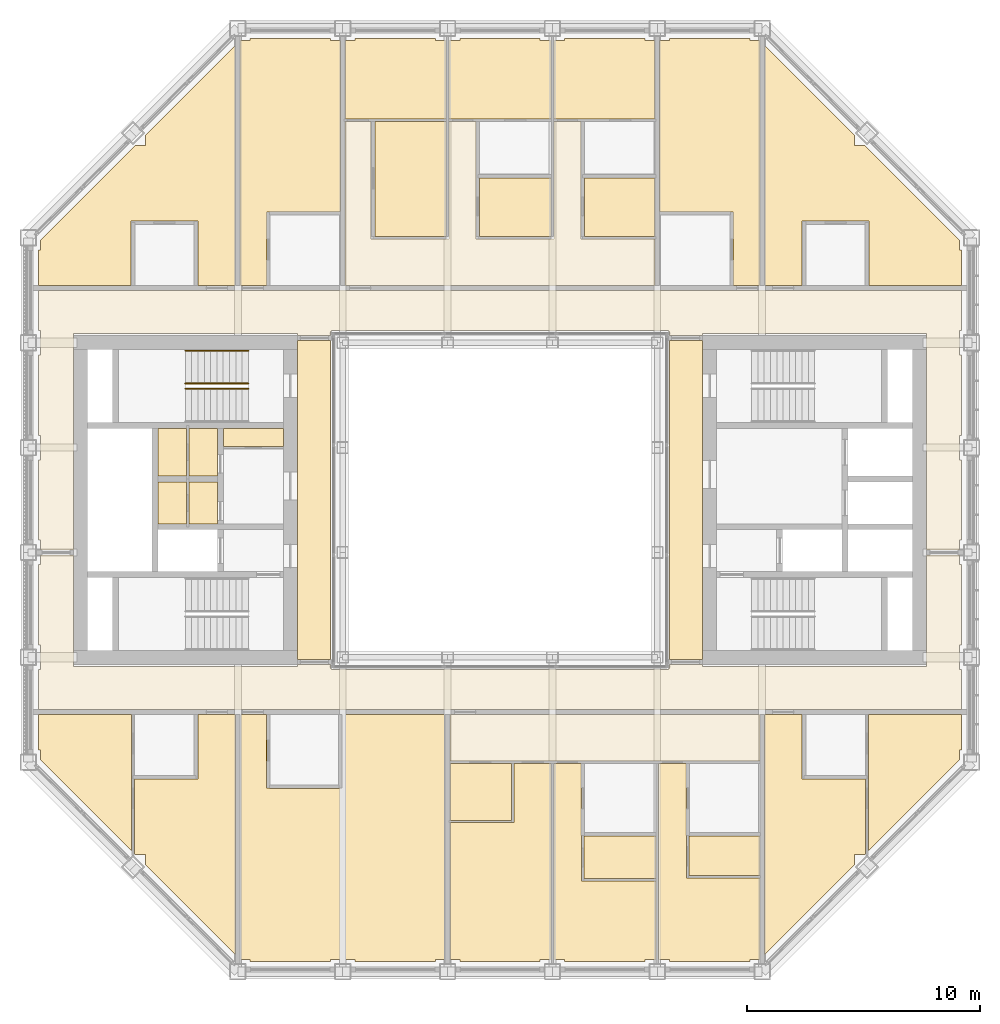
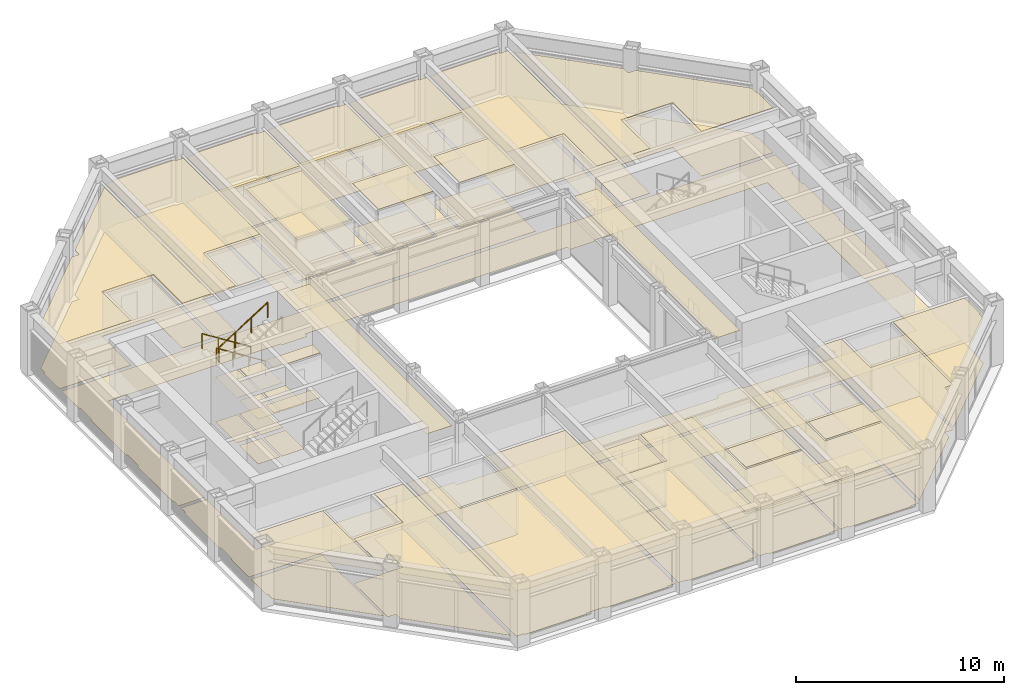
# One storey, part 16 of 17: 6 coverings, 3 railings.
"""IFC4 building model written with IfcOpenShell, lengths in metres."""

from ifc_helpers import new_model, si_unit, direction, frame, origin, origin_2d, place, context, subcontext, project, spatial, line, indexed_curve, circle, outline, extrude, material, layer, layer_set, type_object, element, save


model = new_model("IFC4")

# Units and contexts
model_context = context("Model", 3, precision=1e-05, world=origin(), true_north=direction((0.0, 1.0)))
body_context = subcontext(model_context, "Body", "Model", "MODEL_VIEW")
ifc_project = project(units=[si_unit("LENGTHUNIT", "METRE"), si_unit("AREAUNIT", "SQUARE_METRE"), si_unit("VOLUMEUNIT", "CUBIC_METRE"), si_unit("PLANEANGLEUNIT", "RADIAN"), si_unit("MASSUNIT", "GRAM", prefix="KILO")], contexts=[model_context])

# Site, building, storey
site_placement = place(None, origin())
site = spatial("IfcSite", under=ifc_project, at=site_placement, CompositionType="ELEMENT")
building_placement = place(site_placement, origin())
building = spatial("IfcBuilding", under=site, at=building_placement, Name="Msasa Ring Tower", CompositionType="ELEMENT")
storey_placement = place(building_placement, frame((0.0, 0.0, 242.050048828125)))
storey = spatial("IfcBuildingStorey", under=building, at=storey_placement, Name="L63", CompositionType="ELEMENT", Elevation=242.050048828125)

# Coverings
ifc_material_1 = material(Name="Gypsum plasterboard on a steel suspension grid", Category="steel")
ifc_layer_1 = layer(ifc_material_1, 0.014892578125)
ifc_layer_set_1 = layer_set([ifc_layer_1], Name="C1 SUSPENDED PLASTERBOARD CEILING 15")
covering_type_1 = type_object("IfcCoveringType", Name="C1 SUSPENDED PLASTERBOARD CEILING 15", PredefinedType="CEILING", material=ifc_layer_set_1)
covering_1_placement = place(storey_placement, frame((0.0, 0.0, 3.199951171875)))
element("IfcCovering", 1, at=covering_1_placement, inside=storey, type_object=covering_type_1, Name="Suspended Plasterboard Ceiling 15 public rooms L63", PredefinedType="CEILING", context=body_context, shape_type="SweptSolid", body=[
    extrude(outline(indexed_curve([(-7.280029296875, 6.849609375), (-7.280029296875, -6.849609375), (-8.699462890625, -6.849609375), (-8.699462890625, 6.849609375)], segments=[line(1, 2, 3, 4, 1)], self_intersect=False)), origin(), (0.0, 0.0, 1.0), 0.014892578125),
    extrude(outline(indexed_curve([(8.699462890625, 6.849609375), (8.699462890625, -6.849609375), (7.280029296875, -6.849609375), (7.280029296875, 6.849609375)], segments=[line(1, 2, 3, 4, 1)], self_intersect=False)), origin(), (0.0, 0.0, 1.0), 0.014892578125),
])
covering_2_placement = place(storey_placement, frame((0.0, 0.0, 2.634033203125)))
element("IfcCovering", 2, at=covering_2_placement, inside=storey, type_object=covering_type_1, Name="Suspended Plasterboard Ceiling 15 L63", PredefinedType="CEILING", context=body_context, shape_type="SweptSolid", body=[
    extrude(outline(indexed_curve([(-15.810546875, -15.052490234375), (-19.724609375, -11.138427734375), (-19.724609375, -10.724609375), (-19.799560546875, -10.724609375), (-19.799560546875, -9.200439453125), (-15.810546875, -9.200439453125)], segments=[line(1, 2, 3, 4, 5, 6, 1)], self_intersect=False)), origin(), (0.0, 0.0, 1.0), 0.014892578125),
    extrude(outline(indexed_curve([(-19.799560546875, 9.200439453125), (-19.799560546875, 10.724609375), (-19.724609375, 10.724609375), (-19.724609375, 11.138427734375), (-15.638427734375, 15.224609375), (-15.224609375, 15.224609375), (-15.224609375, 15.638427734375), (-11.3505859375, 19.512451171875), (-11.3505859375, 9.200439453125), (-12.969482421875, 9.200439453125), (-12.969482421875, 11.98046875), (-15.83056640625, 11.98046875), (-15.83056640625, 9.200439453125)], segments=[line(1, 2, 3, 4, 5, 6, 7, 8, 9, 10, 11, 12, 13, 1)], self_intersect=False)), origin(), (0.0, 0.0, 1.0), 0.014892578125),
    extrude(outline(indexed_curve([(-11.3505859375, -19.512451171875), (-15.224609375, -15.638427734375), (-15.224609375, -15.224609375), (-15.638427734375, -15.224609375), (-15.689453125, -15.17333984375), (-15.689453125, -11.98046875), (-12.969482421875, -11.98046875), (-12.969482421875, -9.200439453125), (-11.3505859375, -9.200439453125)], segments=[line(1, 2, 3, 4, 5, 6, 7, 8, 9, 1)], self_intersect=False)), origin(), (0.0, 0.0, 1.0), 0.014892578125),
    extrude(outline(indexed_curve([(-13.45556640625, -1.0244140625), (-14.674560546875, -1.0244140625), (-14.674560546875, 0.7744140625), (-13.45556640625, 0.7744140625)], segments=[line(1, 2, 3, 4, 1)], self_intersect=False)), origin(), (0.0, 0.0, 1.0), 0.014892578125),
    extrude(outline(indexed_curve([(-14.674560546875, 3.074462890625), (-13.45556640625, 3.074462890625), (-13.45556640625, 1.025390625), (-14.674560546875, 1.025390625)], segments=[line(1, 2, 3, 4, 1)], self_intersect=False)), origin(), (0.0, 0.0, 1.0), 0.014892578125),
    extrude(outline(indexed_curve([(-12.12548828125, -1.0244140625), (-13.344482421875, -1.0244140625), (-13.344482421875, 0.7744140625), (-12.12548828125, 0.7744140625)], segments=[line(1, 2, 3, 4, 1)], self_intersect=False)), origin(), (0.0, 0.0, 1.0), 0.014892578125),
    extrude(outline(indexed_curve([(-12.12548828125, 3.074462890625), (-12.12548828125, 1.025390625), (-13.344482421875, 1.025390625), (-13.344482421875, 3.074462890625)], segments=[line(1, 2, 3, 4, 1)], self_intersect=False)), origin(), (0.0, 0.0, 1.0), 0.014892578125),
    extrude(outline(indexed_curve([(-9.300537109375, 3.074462890625), (-9.300537109375, 2.305419921875), (-11.87451171875, 2.305419921875), (-11.87451171875, 3.074462890625)], segments=[line(1, 2, 3, 4, 1)], self_intersect=False)), origin(), (0.0, 0.0, 1.0), 0.014892578125),
    extrude(outline(indexed_curve([(-6.799560546875, -12.3505859375), (-6.799560546875, -9.200439453125), (-2.3505859375, -9.200439453125), (-2.3505859375, -19.724609375), (-2.775390625, -19.724609375), (-2.775390625, -19.799560546875), (-6.224609375, -19.799560546875), (-6.224609375, -19.724609375), (-7.275390625, -19.724609375), (-7.275390625, -19.799560546875), (-10.724609375, -19.799560546875), (-10.724609375, -19.724609375), (-11.138427734375, -19.724609375), (-11.1494140625, -19.71337890625), (-11.1494140625, -9.200439453125), (-10.00048828125, -9.200439453125), (-10.00048828125, -12.3505859375)], segments=[line(1, 2, 3, 4, 5, 6, 7, 8, 9, 10, 11, 12, 13, 14, 15, 16, 17, 1)], self_intersect=False)), origin(), (0.0, 0.0, 1.0), 0.014892578125),
    extrude(outline(indexed_curve([(-11.1494140625, 9.200439453125), (-11.1494140625, 19.71337890625), (-11.138427734375, 19.724609375), (-10.724609375, 19.724609375), (-10.724609375, 19.799560546875), (-7.275390625, 19.799560546875), (-7.275390625, 19.724609375), (-6.8505859375, 19.724609375), (-6.8505859375, 12.3505859375), (-10.00048828125, 12.3505859375), (-10.00048828125, 9.200439453125)], segments=[line(1, 2, 3, 4, 5, 6, 7, 8, 9, 10, 11, 1)], self_intersect=False)), origin(), (0.0, 0.0, 1.0), 0.014892578125),
    extrude(outline(indexed_curve([(-6.689453125, 19.724609375), (-6.224609375, 19.724609375), (-6.224609375, 19.799560546875), (-2.775390625, 19.799560546875), (-2.775390625, 19.724609375), (-2.310546875, 19.724609375), (-2.310546875, 16.35546875), (-6.689453125, 16.35546875)], segments=[line(1, 2, 3, 4, 5, 6, 7, 8, 1)], self_intersect=False)), origin(), (0.0, 0.0, 1.0), 0.014892578125),
    extrude(outline(indexed_curve([(2.189453125, -11.300537109375), (2.189453125, -19.724609375), (1.724609375, -19.724609375), (1.724609375, -19.799560546875), (-1.724609375, -19.799560546875), (-1.724609375, -19.724609375), (-2.189453125, -19.724609375), (-2.189453125, -13.8505859375), (0.6005859375, -13.8505859375), (0.6005859375, -11.300537109375)], segments=[line(1, 2, 3, 4, 5, 6, 7, 8, 9, 10, 1)], self_intersect=False)), origin(), (0.0, 0.0, 1.0), 0.014892578125),
    extrude(outline(indexed_curve([(-2.189453125, 19.724609375), (-1.724609375, 19.724609375), (-1.724609375, 19.799560546875), (1.724609375, 19.799560546875), (1.724609375, 19.724609375), (2.189453125, 19.724609375), (2.189453125, 16.35546875), (-2.189453125, 16.35546875)], segments=[line(1, 2, 3, 4, 5, 6, 7, 8, 1)], self_intersect=False)), origin(), (0.0, 0.0, 1.0), 0.014892578125),
    extrude(outline(indexed_curve([(-0.869384765625, 13.819580078125), (2.189453125, 13.819580078125), (2.189453125, 11.305419921875), (-0.869384765625, 11.305419921875)], segments=[line(1, 2, 3, 4, 1)], self_intersect=False)), origin(), (0.0, 0.0, 1.0), 0.014892578125),
    extrude(outline(indexed_curve([(6.689453125, -19.724609375), (6.224609375, -19.724609375), (6.224609375, -19.799560546875), (2.775390625, -19.799560546875), (2.775390625, -19.724609375), (2.310546875, -19.724609375), (2.310546875, -11.300537109375), (3.49951171875, -11.300537109375), (3.49951171875, -16.3505859375), (6.689453125, -16.3505859375)], segments=[line(1, 2, 3, 4, 5, 6, 7, 8, 9, 10, 1)], self_intersect=False)), origin(), (0.0, 0.0, 1.0), 0.014892578125),
    extrude(outline(indexed_curve([(2.310546875, 19.724609375), (2.775390625, 19.724609375), (2.775390625, 19.799560546875), (6.224609375, 19.799560546875), (6.224609375, 19.724609375), (6.689453125, 19.724609375), (6.689453125, 16.35546875), (2.310546875, 16.35546875)], segments=[line(1, 2, 3, 4, 5, 6, 7, 8, 1)], self_intersect=False)), origin(), (0.0, 0.0, 1.0), 0.014892578125),
    extrude(outline(indexed_curve([(6.689453125, -14.430419921875), (6.689453125, -16.244384765625), (3.6005859375, -16.244384765625), (3.6005859375, -14.430419921875)], segments=[line(1, 2, 3, 4, 1)], self_intersect=False)), origin(), (0.0, 0.0, 1.0), 0.014892578125),
    extrude(outline(indexed_curve([(6.689453125, 13.819580078125), (6.689453125, 11.305419921875), (3.630615234375, 11.305419921875), (3.630615234375, 13.819580078125)], segments=[line(1, 2, 3, 4, 1)], self_intersect=False)), origin(), (0.0, 0.0, 1.0), 0.014892578125),
    extrude(outline(indexed_curve([(11.138427734375, -19.724609375), (10.724609375, -19.724609375), (10.724609375, -19.799560546875), (7.275390625, -19.799560546875), (7.275390625, -19.724609375), (6.810546875, -19.724609375), (6.810546875, -11.300537109375), (7.99951171875, -11.300537109375), (7.99951171875, -16.22412109375), (11.189453125, -16.22412109375), (11.189453125, -19.67333984375)], segments=[line(1, 2, 3, 4, 5, 6, 7, 8, 9, 10, 11, 1)], self_intersect=False)), origin(), (0.0, 0.0, 1.0), 0.014892578125),
    extrude(outline(indexed_curve([(10.724609375, 19.799560546875), (10.724609375, 19.724609375), (11.138427734375, 19.724609375), (11.1494140625, 19.71337890625), (11.1494140625, 9.200439453125), (10.00048828125, 9.200439453125), (10.00048828125, 12.3505859375), (6.8505859375, 12.3505859375), (6.8505859375, 19.724609375), (7.275390625, 19.724609375), (7.275390625, 19.799560546875)], segments=[line(1, 2, 3, 4, 5, 6, 7, 8, 9, 10, 11, 1)], self_intersect=False)), origin(), (0.0, 0.0, 1.0), 0.014892578125),
    extrude(outline(indexed_curve([(8.1005859375, -14.430419921875), (11.189453125, -14.430419921875), (11.189453125, -16.1181640625), (8.1005859375, -16.1181640625)], segments=[line(1, 2, 3, 4, 1)], self_intersect=False)), origin(), (0.0, 0.0, 1.0), 0.014892578125),
    extrude(outline(indexed_curve([(11.3505859375, -9.200439453125), (12.969482421875, -9.200439453125), (12.969482421875, -11.98046875), (15.689453125, -11.98046875), (15.689453125, -15.17333984375), (15.638427734375, -15.224609375), (15.224609375, -15.224609375), (15.224609375, -15.638427734375), (11.3505859375, -19.512451171875)], segments=[line(1, 2, 3, 4, 5, 6, 7, 8, 9, 1)], self_intersect=False)), origin(), (0.0, 0.0, 1.0), 0.014892578125),
    extrude(outline(indexed_curve([(12.969482421875, 9.200439453125), (11.3505859375, 9.200439453125), (11.3505859375, 19.512451171875), (15.224609375, 15.638427734375), (15.224609375, 15.224609375), (15.638427734375, 15.224609375), (19.724609375, 11.138427734375), (19.724609375, 10.724609375), (19.799560546875, 10.724609375), (19.799560546875, 9.200439453125), (15.83056640625, 9.200439453125), (15.83056640625, 11.98046875), (12.969482421875, 11.98046875)], segments=[line(1, 2, 3, 4, 5, 6, 7, 8, 9, 10, 11, 12, 13, 1)], self_intersect=False)), origin(), (0.0, 0.0, 1.0), 0.014892578125),
    extrude(outline(indexed_curve([(19.799560546875, -10.724609375), (19.724609375, -10.724609375), (19.724609375, -11.138427734375), (15.810546875, -15.052490234375), (15.810546875, -9.200439453125), (19.799560546875, -9.200439453125)], segments=[line(1, 2, 3, 4, 5, 6, 1)], self_intersect=False)), origin(), (0.0, 0.0, 1.0), 0.014892578125),
])
ifc_material_2 = material(Name="Perforated aluminium ceiling pans on a steel grid", Category="steel")
ifc_layer_2 = layer(ifc_material_2, 0.02490234375)
ifc_layer_set_2 = layer_set([ifc_layer_2], Name="C4 PERFORATED METAL PAN CEILING 25")
covering_type_2 = type_object("IfcCoveringType", Name="C4 PERFORATED METAL PAN CEILING 25", PredefinedType="CEILING", material=ifc_layer_set_2)
covering_3_placement = place(storey_placement, frame((0.0, 0.0, 2.39990234375)))
element("IfcCovering", 3, at=covering_3_placement, inside=storey, type_object=covering_type_2, Name="Perforated Metal Pan Ceiling 25 L63", PredefinedType="CEILING", context=body_context, shape_type="SweptSolid", body=[
    extrude(outline(indexed_curve([(-2.310546875, 16.244384765625), (-2.310546875, 11.305419921875), (-5.369384765625, 11.305419921875), (-5.369384765625, 16.244384765625)], segments=[line(1, 2, 3, 4, 1)], self_intersect=False)), origin(), (0.0, 0.0, 1.0), 0.025146484375),
    extrude(outline(indexed_curve([(0.49951171875, -11.300537109375), (0.49951171875, -13.74951171875), (-2.1494140625, -13.74951171875), (-2.1494140625, -11.300537109375)], segments=[line(1, 2, 3, 4, 1)], self_intersect=False)), origin(), (0.0, 0.0, 1.0), 0.025146484375),
])
ifc_material_3 = material(Name="Wool-blend carpet on felt underlay", Category="textile")
ifc_layer_3 = layer(ifc_material_3, 0.011962890625)
ifc_layer_set_3 = layer_set([ifc_layer_3], Name="F2 CARPET ON UNDERLAY 12")
covering_type_3 = type_object("IfcCoveringType", Name="F2 CARPET ON UNDERLAY 12", PredefinedType="FLOORING", material=ifc_layer_set_3)
covering_4_placement = place(storey_placement, origin())
element("IfcCovering", 4, at=covering_4_placement, inside=storey, type_object=covering_type_3, Name="Carpet On Underlay 12 L63", PredefinedType="FLOORING", context=body_context, shape_type="SweptSolid", body=[
    extrude(outline(indexed_curve([(-19.799560546875, -9.200439453125), (-15.810546875, -9.200439453125), (-15.810546875, -15.052490234375), (-19.724609375, -11.138427734375), (-19.724609375, -10.724609375), (-19.799560546875, -10.724609375)], segments=[line(1, 2, 3, 4, 5, 6, 1)], self_intersect=False)), origin(), (0.0, 0.0, 1.0), 0.011962890625),
    extrude(outline(indexed_curve([(8.699462890625, -7.150390625), (18.300537109375, -7.150390625), (18.300537109375, -2.3505859375), (19.724609375, -2.3505859375), (19.724609375, -2.775390625), (19.799560546875, -2.775390625), (19.799560546875, -6.224609375), (19.724609375, -6.224609375), (19.724609375, -7.275390625), (19.799560546875, -7.275390625), (19.799560546875, -8.99951171875), (-19.799560546875, -8.99951171875), (-19.799560546875, -7.275390625), (-19.724609375, -7.275390625), (-19.724609375, -6.224609375), (-19.799560546875, -6.224609375), (-19.799560546875, -2.775390625), (-19.724609375, -2.775390625), (-19.724609375, -2.3505859375), (-18.300537109375, -2.3505859375), (-18.300537109375, -7.150390625), (-8.699462890625, -7.150390625), (-8.699462890625, -7.050537109375), (-7.280029296875, -7.050537109375), (-7.280517578125, -7.23046875), (-7.22998046875, -7.23046875), (-7.22998046875, -7.280029296875), (7.22998046875, -7.280029296875), (7.22998046875, -7.23046875), (7.280517578125, -7.23046875), (7.280029296875, -7.050537109375), (8.699462890625, -7.050537109375)], segments=[line(1, 2, 3, 4, 5, 6, 7, 8, 9, 10, 11, 12, 13, 14, 15, 16, 17, 18, 19, 20, 21, 22, 23, 24, 25, 26, 27, 28, 29, 30, 31, 32, 1)], self_intersect=False)), origin(), (0.0, 0.0, 1.0), 0.011962890625),
    extrude(outline(indexed_curve([(18.300537109375, -2.1494140625), (18.300537109375, 7.150390625), (8.699462890625, 7.150390625), (8.699462890625, 7.050537109375), (7.280029296875, 7.050537109375), (7.280517578125, 7.23046875), (7.22998046875, 7.23046875), (7.22998046875, 7.280029296875), (-7.22998046875, 7.280029296875), (-7.22998046875, 7.23046875), (-7.280517578125, 7.23046875), (-7.280029296875, 7.050537109375), (-8.699462890625, 7.050537109375), (-8.699462890625, 7.150390625), (-18.300537109375, 7.150390625), (-18.300537109375, -2.1494140625), (-19.724609375, -2.1494140625), (-19.724609375, -1.724609375), (-19.799560546875, -1.724609375), (-19.799560546875, 1.724609375), (-19.724609375, 1.724609375), (-19.724609375, 2.775390625), (-19.799560546875, 2.775390625), (-19.799560546875, 6.224609375), (-19.724609375, 6.224609375), (-19.724609375, 7.275390625), (-19.799560546875, 7.275390625), (-19.799560546875, 8.99951171875), (19.799560546875, 8.99951171875), (19.799560546875, 7.275390625), (19.724609375, 7.275390625), (19.724609375, 6.224609375), (19.799560546875, 6.224609375), (19.799560546875, 2.775390625), (19.724609375, 2.775390625), (19.724609375, 1.724609375), (19.799560546875, 1.724609375), (19.799560546875, -1.724609375), (19.724609375, -1.724609375), (19.724609375, -2.1494140625)], segments=[line(1, 2, 3, 4, 5, 6, 7, 8, 9, 10, 11, 12, 13, 14, 15, 16, 17, 18, 19, 20, 21, 22, 23, 24, 25, 26, 27, 28, 29, 30, 31, 32, 33, 34, 35, 36, 37, 38, 39, 40, 1)], self_intersect=False)), origin(), (0.0, 0.0, 1.0), 0.011962890625),
    extrude(outline(indexed_curve([(-15.224609375, -15.638427734375), (-15.224609375, -15.224609375), (-15.638427734375, -15.224609375), (-15.689453125, -15.17333984375), (-15.689453125, -11.98046875), (-12.969482421875, -11.98046875), (-12.969482421875, -9.200439453125), (-11.3505859375, -9.200439453125), (-11.3505859375, -19.512451171875)], segments=[line(1, 2, 3, 4, 5, 6, 7, 8, 9, 1)], self_intersect=False)), origin(), (0.0, 0.0, 1.0), 0.011962890625),
    extrude(outline(indexed_curve([(-13.45556640625, -1.0244140625), (-14.674560546875, -1.0244140625), (-14.674560546875, 0.7744140625), (-13.45556640625, 0.7744140625)], segments=[line(1, 2, 3, 4, 1)], self_intersect=False)), origin(), (0.0, 0.0, 1.0), 0.011962890625),
    extrude(outline(indexed_curve([(-13.45556640625, 3.074462890625), (-13.45556640625, 1.025390625), (-14.674560546875, 1.025390625), (-14.674560546875, 3.074462890625)], segments=[line(1, 2, 3, 4, 1)], self_intersect=False)), origin(), (0.0, 0.0, 1.0), 0.011962890625),
    extrude(outline(indexed_curve([(-12.12548828125, -1.0244140625), (-13.344482421875, -1.0244140625), (-13.344482421875, 0.7744140625), (-12.12548828125, 0.7744140625)], segments=[line(1, 2, 3, 4, 1)], self_intersect=False)), origin(), (0.0, 0.0, 1.0), 0.011962890625),
    extrude(outline(indexed_curve([(-12.12548828125, 1.025390625), (-13.344482421875, 1.025390625), (-13.344482421875, 3.074462890625), (-12.12548828125, 3.074462890625)], segments=[line(1, 2, 3, 4, 1)], self_intersect=False)), origin(), (0.0, 0.0, 1.0), 0.011962890625),
    extrude(outline(indexed_curve([(-9.300537109375, 2.305419921875), (-11.87451171875, 2.305419921875), (-11.87451171875, 3.074462890625), (-9.300537109375, 3.074462890625)], segments=[line(1, 2, 3, 4, 1)], self_intersect=False)), origin(), (0.0, 0.0, 1.0), 0.011962890625),
    extrude(outline(indexed_curve([(-11.1494140625, 19.71337890625), (-11.138427734375, 19.724609375), (-10.724609375, 19.724609375), (-10.724609375, 19.799560546875), (-7.275390625, 19.799560546875), (-7.275390625, 19.724609375), (-6.8505859375, 19.724609375), (-6.8505859375, 12.37548828125), (-9.89990234375, 12.37548828125), (-9.89990234375, 12.3505859375), (-10.025390625, 12.35009765625), (-10.025390625, 9.200439453125), (-11.1494140625, 9.200439453125)], segments=[line(1, 2, 3, 4, 5, 6, 7, 8, 9, 10, 11, 12, 13, 1)], self_intersect=False)), origin(), (0.0, 0.0, 1.0), 0.011962890625),
    extrude(outline(indexed_curve([(-2.189453125, 16.244384765625), (-1.030517578125, 16.244384765625), (-1.030517578125, 11.199462890625), (2.310546875, 11.199462890625), (2.310546875, 16.244384765625), (3.469482421875, 16.244384765625), (3.469482421875, 11.199462890625), (6.6494140625, 11.199462890625), (6.6494140625, 9.200439453125), (-6.6494140625, 9.200439453125), (-6.6494140625, 16.244384765625), (-5.530517578125, 16.244384765625), (-5.530517578125, 11.199462890625), (-2.189453125, 11.199462890625)], segments=[line(1, 2, 3, 4, 5, 6, 7, 8, 9, 10, 11, 12, 13, 14, 1)], self_intersect=False)), origin(), (0.0, 0.0, 1.0), 0.011962890625),
    extrude(outline(indexed_curve([(-2.775390625, 19.799560546875), (-2.775390625, 19.724609375), (-2.310546875, 19.724609375), (-2.310546875, 16.35546875), (-6.6494140625, 16.35546875), (-6.6494140625, 19.724609375), (-6.224609375, 19.724609375), (-6.224609375, 19.799560546875)], segments=[line(1, 2, 3, 4, 5, 6, 7, 8, 1)], self_intersect=False)), origin(), (0.0, 0.0, 1.0), 0.011962890625),
    extrude(outline(indexed_curve([(-2.189453125, 19.724609375), (-1.724609375, 19.724609375), (-1.724609375, 19.799560546875), (1.724609375, 19.799560546875), (1.724609375, 19.724609375), (2.189453125, 19.724609375), (2.189453125, 16.35546875), (-2.189453125, 16.35546875)], segments=[line(1, 2, 3, 4, 5, 6, 7, 8, 1)], self_intersect=False)), origin(), (0.0, 0.0, 1.0), 0.011962890625),
    extrude(outline(indexed_curve([(2.189453125, -19.724609375), (1.724609375, -19.724609375), (1.724609375, -19.799560546875), (-1.724609375, -19.799560546875), (-1.724609375, -19.724609375), (-2.1494140625, -19.724609375), (-2.1494140625, -13.8505859375), (0.6005859375, -13.8505859375), (0.6005859375, -11.300537109375), (2.189453125, -11.300537109375)], segments=[line(1, 2, 3, 4, 5, 6, 7, 8, 9, 10, 1)], self_intersect=False)), origin(), (0.0, 0.0, 1.0), 0.011962890625),
    extrude(outline(indexed_curve([(11.1494140625, -11.199462890625), (-2.1494140625, -11.199462890625), (-2.1494140625, -9.200439453125), (11.1494140625, -9.200439453125)], segments=[line(1, 2, 3, 4, 1)], self_intersect=False)), origin(), (0.0, 0.0, 1.0), 0.011962890625),
    extrude(outline(indexed_curve([(2.189453125, 11.305419921875), (-0.869384765625, 11.305419921875), (-0.869384765625, 13.819580078125), (2.189453125, 13.819580078125)], segments=[line(1, 2, 3, 4, 1)], self_intersect=False)), origin(), (0.0, 0.0, 1.0), 0.011962890625),
    extrude(outline(indexed_curve([(2.310546875, -11.300537109375), (3.474609375, -11.300537109375), (3.474609375, -14.39990234375), (3.49951171875, -14.39990234375), (3.49951171875, -16.3505859375), (6.689453125, -16.3505859375), (6.689453125, -19.724609375), (6.224609375, -19.724609375), (6.224609375, -19.799560546875), (2.775390625, -19.799560546875), (2.775390625, -19.724609375), (2.310546875, -19.724609375)], segments=[line(1, 2, 3, 4, 5, 6, 7, 8, 9, 10, 11, 12, 1)], self_intersect=False)), origin(), (0.0, 0.0, 1.0), 0.011962890625),
    extrude(outline(indexed_curve([(6.224609375, 19.799560546875), (6.224609375, 19.724609375), (6.6494140625, 19.724609375), (6.6494140625, 16.35546875), (2.310546875, 16.35546875), (2.310546875, 19.724609375), (2.775390625, 19.724609375), (2.775390625, 19.799560546875)], segments=[line(1, 2, 3, 4, 5, 6, 7, 8, 1)], self_intersect=False)), origin(), (0.0, 0.0, 1.0), 0.011962890625),
    extrude(outline(indexed_curve([(6.689453125, -14.430419921875), (6.689453125, -16.244384765625), (3.6005859375, -16.244384765625), (3.6005859375, -14.430419921875)], segments=[line(1, 2, 3, 4, 1)], self_intersect=False)), origin(), (0.0, 0.0, 1.0), 0.011962890625),
    extrude(outline(indexed_curve([(3.630615234375, 11.305419921875), (3.630615234375, 13.819580078125), (6.6494140625, 13.819580078125), (6.6494140625, 11.305419921875)], segments=[line(1, 2, 3, 4, 1)], self_intersect=False)), origin(), (0.0, 0.0, 1.0), 0.011962890625),
    extrude(outline(indexed_curve([(7.275390625, -19.799560546875), (7.275390625, -19.724609375), (6.810546875, -19.724609375), (6.810546875, -11.300537109375), (7.974609375, -11.300537109375), (7.974609375, -14.39990234375), (7.99951171875, -14.39990234375), (7.99951171875, -16.22412109375), (11.1494140625, -16.22412109375), (11.1494140625, -19.71337890625), (11.138427734375, -19.724609375), (10.724609375, -19.724609375), (10.724609375, -19.799560546875)], segments=[line(1, 2, 3, 4, 5, 6, 7, 8, 9, 10, 11, 12, 13, 1)], self_intersect=False)), origin(), (0.0, 0.0, 1.0), 0.011962890625),
    extrude(outline(indexed_curve([(11.1494140625, 9.200439453125), (10.025390625, 9.200439453125), (10.025390625, 12.35009765625), (9.89990234375, 12.3505859375), (9.89990234375, 12.37548828125), (6.8505859375, 12.37548828125), (6.8505859375, 19.724609375), (7.275390625, 19.724609375), (7.275390625, 19.799560546875), (10.724609375, 19.799560546875), (10.724609375, 19.724609375), (11.138427734375, 19.724609375), (11.1494140625, 19.71337890625)], segments=[line(1, 2, 3, 4, 5, 6, 7, 8, 9, 10, 11, 12, 13, 1)], self_intersect=False)), origin(), (0.0, 0.0, 1.0), 0.011962890625),
    extrude(outline(indexed_curve([(8.1005859375, -16.1181640625), (8.1005859375, -14.430419921875), (11.1494140625, -14.430419921875), (11.1494140625, -16.1181640625)], segments=[line(1, 2, 3, 4, 1)], self_intersect=False)), origin(), (0.0, 0.0, 1.0), 0.011962890625),
    extrude(outline(indexed_curve([(12.969482421875, -9.200439453125), (12.969482421875, -11.98046875), (15.689453125, -11.98046875), (15.689453125, -15.17333984375), (15.638427734375, -15.224609375), (15.224609375, -15.224609375), (15.224609375, -15.638427734375), (11.3505859375, -19.512451171875), (11.3505859375, -9.200439453125)], segments=[line(1, 2, 3, 4, 5, 6, 7, 8, 9, 1)], self_intersect=False)), origin(), (0.0, 0.0, 1.0), 0.011962890625),
    extrude(outline(indexed_curve([(19.799560546875, -10.724609375), (19.724609375, -10.724609375), (19.724609375, -11.138427734375), (15.810546875, -15.052490234375), (15.810546875, -9.200439453125), (19.799560546875, -9.200439453125)], segments=[line(1, 2, 3, 4, 5, 6, 1)], self_intersect=False)), origin(), (0.0, 0.0, 1.0), 0.011962890625),
])
ifc_material_4 = material(Name="Engineered oak boards on an acoustic underlay", Category="wood")
ifc_layer_4 = layer(ifc_material_4, 0.01806640625)
ifc_layer_set_4 = layer_set([ifc_layer_4], Name="F3 ENGINEERED TIMBER ON ACOUSTIC UNDERLAY 18")
covering_type_4 = type_object("IfcCoveringType", Name="F3 ENGINEERED TIMBER ON ACOUSTIC UNDERLAY 18", PredefinedType="FLOORING", material=ifc_layer_set_4)
covering_5_placement = place(storey_placement, origin())
element("IfcCovering", 5, at=covering_5_placement, inside=storey, type_object=covering_type_4, Name="Engineered Timber On Acoustic Underlay 18 L63", PredefinedType="FLOORING", context=body_context, shape_type="SweptSolid", body=[
    extrude(outline(indexed_curve([(-15.83056640625, 9.200439453125), (-19.799560546875, 9.200439453125), (-19.799560546875, 10.724609375), (-19.724609375, 10.724609375), (-19.724609375, 11.138427734375), (-15.638427734375, 15.224609375), (-15.224609375, 15.224609375), (-15.224609375, 15.638427734375), (-11.3505859375, 19.512451171875), (-11.3505859375, 9.200439453125), (-12.969482421875, 9.200439453125), (-12.969482421875, 11.98046875), (-15.83056640625, 11.98046875)], segments=[line(1, 2, 3, 4, 5, 6, 7, 8, 9, 10, 11, 12, 13, 1)], self_intersect=False)), origin(), (0.0, 0.0, 1.0), 0.01806640625),
    extrude(outline(indexed_curve([(-11.1494140625, -9.200439453125), (-10.025390625, -9.200439453125), (-10.025390625, -12.35009765625), (-9.89990234375, -12.3505859375), (-9.89990234375, -12.37548828125), (-6.89990234375, -12.37548828125), (-6.89990234375, -12.3505859375), (-6.7744140625, -12.35009765625), (-6.7744140625, -9.200439453125), (-2.3505859375, -9.200439453125), (-2.3505859375, -19.724609375), (-2.775390625, -19.724609375), (-2.775390625, -19.799560546875), (-6.224609375, -19.799560546875), (-6.224609375, -19.724609375), (-7.275390625, -19.724609375), (-7.275390625, -19.799560546875), (-10.724609375, -19.799560546875), (-10.724609375, -19.724609375), (-11.138427734375, -19.724609375), (-11.1494140625, -19.71337890625)], segments=[line(1, 2, 3, 4, 5, 6, 7, 8, 9, 10, 11, 12, 13, 14, 15, 16, 17, 18, 19, 20, 21, 1)], self_intersect=False)), origin(), (0.0, 0.0, 1.0), 0.01806640625),
    extrude(outline(indexed_curve([(15.83056640625, 11.98046875), (12.969482421875, 11.98046875), (12.969482421875, 9.200439453125), (11.3505859375, 9.200439453125), (11.3505859375, 19.512451171875), (15.224609375, 15.638427734375), (15.224609375, 15.224609375), (15.638427734375, 15.224609375), (19.724609375, 11.138427734375), (19.724609375, 10.724609375), (19.799560546875, 10.724609375), (19.799560546875, 9.200439453125), (15.83056640625, 9.200439453125)], segments=[line(1, 2, 3, 4, 5, 6, 7, 8, 9, 10, 11, 12, 13, 1)], self_intersect=False)), origin(), (0.0, 0.0, 1.0), 0.01806640625),
])
ifc_material_5 = material(Name="Welded vinyl safety sheet flooring", Category="vinyl")
ifc_layer_5 = layer(ifc_material_5, 0.0029296875)
ifc_layer_set_5 = layer_set([ifc_layer_5], Name="F5 RESILIENT SHEET FLOORING 3")
covering_type_5 = type_object("IfcCoveringType", Name="F5 RESILIENT SHEET FLOORING 3", PredefinedType="FLOORING", material=ifc_layer_set_5)
covering_6_placement = place(storey_placement, origin())
element("IfcCovering", 6, at=covering_6_placement, inside=storey, type_object=covering_type_5, Name="Resilient Sheet Flooring 3 L63", PredefinedType="FLOORING", context=body_context, shape_type="SweptSolid", body=[
    extrude(outline(indexed_curve([(-2.310546875, 11.305419921875), (-5.369384765625, 11.305419921875), (-5.369384765625, 16.244384765625), (-2.310546875, 16.244384765625)], segments=[line(1, 2, 3, 4, 1)], self_intersect=False)), origin(), (0.0, 0.0, 1.0), 0.0029296875),
    extrude(outline(indexed_curve([(0.49951171875, -13.74951171875), (-2.1494140625, -13.74951171875), (-2.1494140625, -11.300537109375), (0.49951171875, -11.300537109375)], segments=[line(1, 2, 3, 4, 1)], self_intersect=False)), origin(), (0.0, 0.0, 1.0), 0.0029296875),
])

# Railings
ifc_material_6 = material(Name="Stainless steel", Category="steel")
railing_type = type_object("IfcRailingType", Name="HR1 HANDRAIL 900", PredefinedType="HANDRAIL", material=ifc_material_6)
for number, where, name in (
    (7, (-10.800048828125, 5.0, 0.17041015625), "Handrail stair SWB L63 1"),
    (8, (-10.800048828125, 6.39990234375, 0.17041015625), "Handrail stair SWB L63 2"),
):
    element("IfcRailing", number, at=place(storey_placement, frame(where)), inside=storey, type_object=railing_type, Name=name, PredefinedType="HANDRAIL", context=body_context, shape_type="SweptSolid", body=[
        extrude(circle(Radius=0.02392578125, at=origin_2d()), frame((0.0, 0.0, 0.8759765625), z_axis=(-0.845579735284, 0.0, 0.533849146555), x_axis=(0.0, -1.0, 0.0)), (0.0, 0.0, 1.0), 3.193115234375),
        extrude(circle(Radius=0.02099609375, at=origin_2d()), origin(), (0.0, 0.0, 1.0), 0.851806640625),
        extrude(circle(Radius=0.02099609375, at=origin_2d()), frame((-0.89990234375, 0.0, 0.568115234375)), (0.0, 0.0, 1.0), 0.851806640625),
        extrude(circle(Radius=0.02099609375, at=origin_2d()), frame((-1.800048828125, 0.0, 1.136474609375)), (0.0, 0.0, 1.0), 0.851806640625),
        extrude(circle(Radius=0.02099609375, at=origin_2d()), frame((-2.699951171875, 0.0, 1.70458984375)), (0.0, 0.0, 1.0), 0.851806640625),
    ])
railing_placement = place(storey_placement, frame((-13.5, 4.77490234375, 2.04541015625)))
element("IfcRailing", 9, at=railing_placement, inside=storey, type_object=railing_type, Name="Handrail stair SWB L63 4", PredefinedType="HANDRAIL", context=body_context, shape_type="SweptSolid", body=[
    extrude(circle(Radius=0.02392578125, at=origin_2d()), frame((0.0, 0.0, 0.8759765625), z_axis=(0.845579735284, 0.0, 0.533849146555), x_axis=(0.0, 1.0, 0.0)), (0.0, 0.0, 1.0), 3.193115234375),
    extrude(circle(Radius=0.02099609375, at=origin_2d()), origin(), (0.0, 0.0, 1.0), 0.851806640625),
    extrude(circle(Radius=0.02099609375, at=origin_2d()), frame((0.89990234375, 0.0, 0.568115234375)), (0.0, 0.0, 1.0), 0.851806640625),
    extrude(circle(Radius=0.02099609375, at=origin_2d()), frame((1.800048828125, 0.0, 1.136474609375)), (0.0, 0.0, 1.0), 0.851806640625),
    extrude(circle(Radius=0.02099609375, at=origin_2d()), frame((2.699951171875, 0.0, 1.70458984375)), (0.0, 0.0, 1.0), 0.851806640625),
])

save(model, "model.ifc")
